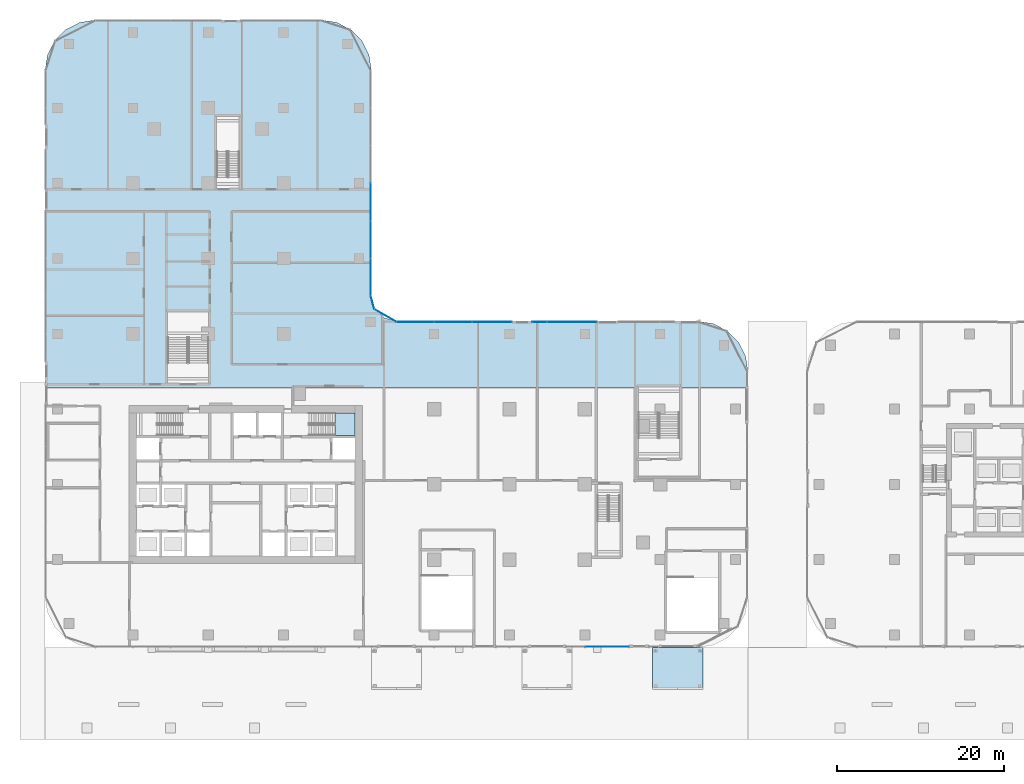
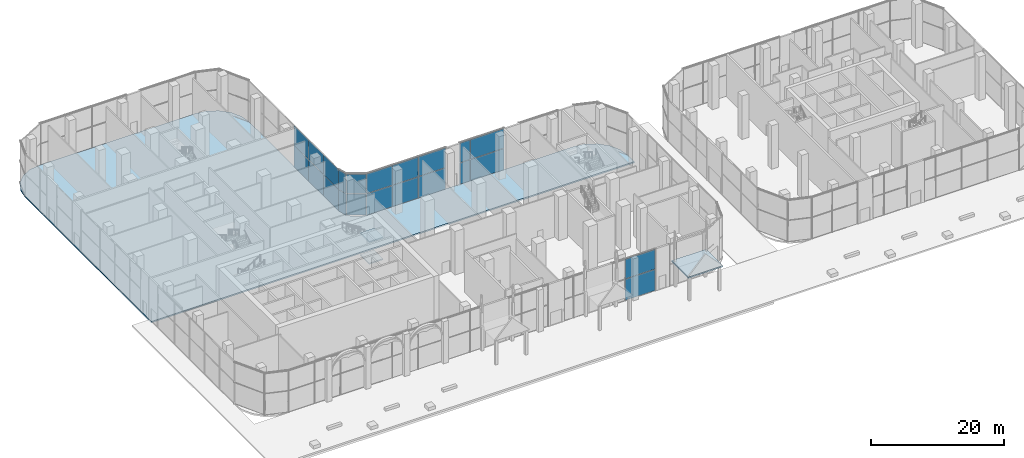
# One storey, part 23 of 54: 22 plates, 4 slabs, 6 elements without a shape of their own.
"""IFC4 building model written with IfcOpenShell, lengths in metres."""

import ifcopenshell
import ifcopenshell.guid

model = None  # the IFC model being written
_history = None  # IfcOwnerHistory: only IFC2X3 demands one
_inside = {}  # id of a spatial element -> (the spatial element, [elements in it])
_under = {}  # id of a project, library or spatial element -> (it, [spatial elements below it])
_declared = {}  # id of a project -> (the project, [libraries it declares])
_typed = {}  # id of a type object -> (the type object, [elements of that type])
_made_of = {}  # id of a material, layer set ... -> (it, [elements and type objects made of it])


def new_model(schema):
    """Start an empty IFC model of exactly this schema.

    Asked for "IFC4X3", IfcOpenShell would pick the latest addendum, in which some entities
    have other attributes; the version numbers below select the first issue.
    IFC2X3 requires an IfcOwnerHistory on every rooted entity: one is made here for all.
    """
    global model, _history
    if schema == "IFC4X3":
        model = ifcopenshell.file(schema_version=(4, 3, 0, 0))
    else:
        model = ifcopenshell.file(schema=schema)
    _inside.clear()
    _under.clear()
    _declared.clear()
    _typed.clear()
    _made_of.clear()
    _history = None
    if model.schema == "IFC2X3":
        org = make("IfcOrganization", Name="unknown")
        user = make(
            "IfcPersonAndOrganization",
            ThePerson=make("IfcPerson", FamilyName="unknown"),
            TheOrganization=org,
        )
        app = make(
            "IfcApplication",
            ApplicationDeveloper=org,
            Version="unknown",
            ApplicationFullName="unknown",
            ApplicationIdentifier="unknown",
        )
        _history = make(
            "IfcOwnerHistory",
            OwningUser=user,
            OwningApplication=app,
            ChangeAction="ADDED",
            CreationDate=0,
        )
    return model


def make(cls, **values):
    """One entity of the class cls with the attributes given. An attribute that is None is left unset."""
    return model.create_entity(
        cls, **{name: value for name, value in values.items() if value is not None}
    )


def rooted(cls, **values):
    """An entity with a GlobalId (a new one), such as an element, a storey or a relation."""
    return make(cls, GlobalId=ifcopenshell.guid.new(), OwnerHistory=_history, **values)


def si_unit(unit_type, name, prefix=None):
    """IfcSIUnit, for example si_unit("LENGTHUNIT", "METRE", prefix="MILLI")."""
    return make("IfcSIUnit", UnitType=unit_type, Prefix=prefix, Name=name)


def assignment(units):
    """IfcUnitAssignment: the units of a project."""
    return None if units is None else make("IfcUnitAssignment", Units=units)


def point(xyz):
    """IfcCartesianPoint."""
    return None if xyz is None else make("IfcCartesianPoint", Coordinates=xyz)


def direction(xyz):
    """IfcDirection."""
    return None if xyz is None else make("IfcDirection", DirectionRatios=xyz)


def frame(location, z_axis=None, x_axis=None):
    """IfcAxis2Placement3D, a coordinate frame: its origin and axes. An axis left out is left unset."""
    return make(
        "IfcAxis2Placement3D",
        Location=point(location),
        Axis=direction(z_axis),
        RefDirection=direction(x_axis),
    )


def frame_2d(location, x_axis=None):
    """IfcAxis2Placement2D, a coordinate frame in the plane: its origin and x axis."""
    return make(
        "IfcAxis2Placement2D", Location=point(location), RefDirection=direction(x_axis)
    )


def origin():
    """The frame at (0, 0, 0) with its axes left unset."""
    return frame((0.0, 0.0, 0.0))


def origin_2d():
    """The frame at (0, 0) in the plane with its x axis left unset."""
    return frame_2d((0.0, 0.0))


def place(relative_to, where):
    """IfcLocalPlacement: puts the frame where relative to a parent placement (None: the world)."""
    return make(
        "IfcLocalPlacement", PlacementRelTo=relative_to, RelativePlacement=where
    )


def context(
    kind, dimensions, precision=None, world=None, true_north=None, identifier=None
):
    """IfcGeometricRepresentationContext, for example the 3D "Model" context."""
    return make(
        "IfcGeometricRepresentationContext",
        ContextIdentifier=identifier,
        ContextType=kind,
        CoordinateSpaceDimension=dimensions,
        Precision=precision,
        WorldCoordinateSystem=world,
        TrueNorth=true_north,
    )


def subcontext(parent, identifier, kind, view, scale=None):
    """IfcGeometricRepresentationSubContext, for example "Body" below "Model"."""
    return make(
        "IfcGeometricRepresentationSubContext",
        ContextIdentifier=identifier,
        ContextType=kind,
        ParentContext=parent,
        TargetScale=scale,
        TargetView=view,
    )


def project(units=None, contexts=None):
    """IfcProject with its units and contexts."""
    return rooted(
        "IfcProject",
        Name="project",
        RepresentationContexts=contexts,
        UnitsInContext=assignment(units),
    )


def spatial(cls, under=None, at=None, **own):
    """A site, building, storey or space (cls), placed at a placement, below another one or the project."""
    s = rooted(cls, ObjectPlacement=at, **own)
    if under is not None:
        _under.setdefault(under.id(), (under, []))[1].append(s)
    return s


def polyline(points):
    """IfcPolyline through the points."""
    return make("IfcPolyline", Points=[point(p) for p in points])


def profile(cls, at=None, kind="AREA", **sizes):
    """A parametric profile (cls). Its sizes go by their IFC names, for example OverallWidth=200.0."""
    return make(cls, ProfileType=kind, Position=at, **sizes)


def rectangle(**sizes):
    """IfcRectangleProfileDef."""
    return profile("IfcRectangleProfileDef", **sizes)


def outline(outer, holes=None, kind="AREA"):
    """IfcArbitraryClosedProfileDef: a profile drawn as a closed curve; with holes, ...WithVoids."""
    if holes is None:
        return make("IfcArbitraryClosedProfileDef", ProfileType=kind, OuterCurve=outer)
    return make(
        "IfcArbitraryProfileDefWithVoids",
        ProfileType=kind,
        OuterCurve=outer,
        InnerCurves=holes,
    )


def extrude(swept, where, along, depth):
    """IfcExtrudedAreaSolid: the profile swept, set in the frame where, extruded along a direction by depth."""
    return make(
        "IfcExtrudedAreaSolid",
        SweptArea=swept,
        Position=where,
        ExtrudedDirection=direction(along),
        Depth=depth,
    )


def shape(context_of_items, identifier, shape_type, items):
    """IfcShapeRepresentation: the items that make up one representation, for example the "Body"."""
    return make(
        "IfcShapeRepresentation",
        ContextOfItems=context_of_items,
        RepresentationIdentifier=identifier,
        RepresentationType=shape_type,
        Items=items,
    )


def material(Name=None, Category=None):
    """IfcMaterial."""
    return make("IfcMaterial", Name=Name, Category=Category)


def layer(
    of_material, thickness, ventilated=None, Name=None, Category=None, Priority=None
):
    """IfcMaterialLayer: one layer of a wall or slab, of a material (None: an air gap)."""
    return make(
        "IfcMaterialLayer",
        Material=of_material,
        LayerThickness=thickness,
        IsVentilated=ventilated,
        Name=Name,
        Category=Category,
        Priority=Priority,
    )


def layer_set(layers, Name=None):
    """IfcMaterialLayerSet."""
    return make("IfcMaterialLayerSet", MaterialLayers=layers, LayerSetName=Name)


def made_of(thing, what):
    """Note that an element or type object is made of a material, layer set ...; save() writes the relation."""
    if what is not None:
        _made_of.setdefault(what.id(), (what, []))[1].append(thing)
    return thing


def type_object(cls, material=None, **own):
    """A type object (cls), such as IfcWallType, which elements share."""
    return made_of(rooted(cls, **own), material)


def element(
    cls,
    number,
    at=None,
    inside=None,
    cuts=None,
    type_object=None,
    material=None,
    context=None,
    identifier="Body",
    shape_type=None,
    held_by="IfcProductDefinitionShape",
    body=None,
    shapes=None,
    **own,
):
    """One element of the class cls, such as IfcWall. Its Tag is "e" and its number.

    at: its placement. inside: the storey or other place that contains it. cuts: it is an
    opening in that element (IfcRelVoidsElement). A single representation is given by context,
    identifier, shape_type and body (its items); several are given by shapes. held_by: the class
    of the entity that holds the representations. save() writes the other relations.
    """
    e = rooted(cls, Tag="e%d" % number, ObjectPlacement=at, **own)
    if body is not None:
        shapes = [shape(context, identifier, shape_type, body)]
    if shapes is not None:
        e.Representation = make(held_by, Representations=shapes)
    if inside is not None:
        _inside.setdefault(inside.id(), (inside, []))[1].append(e)
    if cuts is not None:
        rooted(
            "IfcRelVoidsElement", RelatingBuildingElement=cuts, RelatedOpeningElement=e
        )
    if type_object is not None:
        _typed.setdefault(type_object.id(), (type_object, []))[1].append(e)
    return made_of(e, material)


def aggregate(whole, parts):
    """IfcRelAggregates: a whole, such as a stair, and the parts it consists of."""
    return rooted("IfcRelAggregates", RelatingObject=whole, RelatedObjects=parts)


def save(model, path):
    """Write the relations noted so far, then the file.

    IfcRelAggregates (storeys below a building ...), IfcRelContainedInSpatialStructure (elements
    in a storey), IfcRelDefinesByType, IfcRelAssociatesMaterial and IfcRelDeclares: one each for
    every whole, place, type object, material and project.
    """
    for whole, parts in _under.values():
        aggregate(whole, parts)
    for where, things in _inside.values():
        rooted(
            "IfcRelContainedInSpatialStructure",
            RelatedElements=things,
            RelatingStructure=where,
        )
    for kind, things in _typed.values():
        rooted("IfcRelDefinesByType", RelatedObjects=things, RelatingType=kind)
    for what, things in _made_of.values():
        rooted("IfcRelAssociatesMaterial", RelatedObjects=things, RelatingMaterial=what)
    for by, libraries in _declared.values():
        rooted("IfcRelDeclares", RelatingContext=by, RelatedDefinitions=libraries)
    model.write(path)


model = new_model("IFC4")

# Units and contexts
model_context = context("Model", 3, precision=1e-05, world=origin(), true_north=direction((0.0, 1.0)))
body_context = subcontext(model_context, "Body", "Model", "MODEL_VIEW")
ifc_project = project(units=[si_unit("LENGTHUNIT", "METRE"), si_unit("AREAUNIT", "SQUARE_METRE"), si_unit("VOLUMEUNIT", "CUBIC_METRE"), si_unit("PLANEANGLEUNIT", "RADIAN"), si_unit("MASSUNIT", "GRAM", prefix="KILO")], contexts=[model_context])

# Site, building, storey
site_placement = place(None, origin())
site = spatial("IfcSite", under=ifc_project, at=site_placement, CompositionType="ELEMENT")
building_placement = place(site_placement, origin())
building = spatial("IfcBuilding", under=site, at=building_placement, Name="Ogive Portal Towers", CompositionType="ELEMENT")
storey_placement = place(building_placement, origin())
storey = spatial("IfcBuildingStorey", under=building, at=storey_placement, Name="L00", CompositionType="ELEMENT", Elevation=0.0)

# Curtain wall, plates
ifc_material_1 = material(Name="Glass, clear low-iron insulated glazing", Category="glass")
curtain_wall_type = type_object("IfcCurtainWallType", Name="CW PODIUM SHOPFRONT", PredefinedType="NOTDEFINED", material=ifc_material_1)
curtain_wall_1_placement = place(storey_placement, origin())
curtain_wall_1 = element("IfcCurtainWall", 1, at=curtain_wall_1_placement, inside=storey, type_object=curtain_wall_type, Name="A:L00:f02:cw3", PredefinedType="NOTDEFINED")
ifc_layer_1 = layer(ifc_material_1, 0.028076171875)
ifc_layer_set_1 = layer_set([ifc_layer_1], Name="CW PANEL IGU 28")
plate_type = type_object("IfcPlateType", Name="CW PANEL IGU 28", PredefinedType="CURTAIN_PANEL", material=ifc_layer_set_1)
plate_1_placement = place(storey_placement, frame((88.142333984375, 11.080078125, 0.06005859375), z_axis=(0.0, 0.0, 1.0), x_axis=(1.0, 0.0, 0.0)))
plate_1 = element("IfcPlate", 2, at=plate_1_placement, type_object=plate_type, Name="panel", PredefinedType="CURTAIN_PANEL", context=body_context, shape_type="SweptSolid", body=[
    extrude(rectangle(XDim=5.224365234375, YDim=0.028076171875, at=origin_2d()), origin(), (0.0, 0.0, 1.0), 3.909912109375),
])
plate_2_placement = place(storey_placement, frame((88.142333984375, 11.080078125, 4.02978515625), z_axis=(0.0, 0.0, 1.0), x_axis=(1.0, 0.0, 0.0)))
plate_2 = element("IfcPlate", 3, at=plate_2_placement, type_object=plate_type, Name="panel", PredefinedType="CURTAIN_PANEL", context=body_context, shape_type="SweptSolid", body=[
    extrude(rectangle(XDim=5.224365234375, YDim=0.028076171875, at=origin_2d()), origin(), (0.0, 0.0, 1.0), 3.610107421875),
])
aggregate(curtain_wall_1, [plate_1, plate_2])

curtain_wall_2_placement = place(storey_placement, origin())
curtain_wall_2 = element("IfcCurtainWall", 4, at=curtain_wall_2_placement, inside=storey, type_object=curtain_wall_type, Name="A:L00:f08:cw1", PredefinedType="NOTDEFINED")
plate_3_placement = place(storey_placement, frame((83.96728515625, 49.919921875, 0.06005859375), z_axis=(0.0, 0.0, 1.0), x_axis=(-1.0, 0.0, 0.0)))
plate_3 = element("IfcPlate", 5, at=plate_3_placement, type_object=plate_type, Name="panel", PredefinedType="CURTAIN_PANEL", context=body_context, shape_type="SweptSolid", body=[
    extrude(rectangle(XDim=5.87451171875, YDim=0.028076171875, at=origin_2d()), origin(), (0.0, 0.0, 1.0), 3.909912109375),
])
plate_4_placement = place(storey_placement, frame((83.96728515625, 49.919921875, 4.02978515625), z_axis=(0.0, 0.0, 1.0), x_axis=(-1.0, 0.0, 0.0)))
plate_4 = element("IfcPlate", 6, at=plate_4_placement, type_object=plate_type, Name="panel", PredefinedType="CURTAIN_PANEL", context=body_context, shape_type="SweptSolid", body=[
    extrude(rectangle(XDim=5.87451171875, YDim=0.028076171875, at=origin_2d()), origin(), (0.0, 0.0, 1.0), 3.610107421875),
])
plate_5_placement = place(storey_placement, frame((80.09130859375, 49.919921875, 0.06005859375), z_axis=(0.0, 0.0, 1.0), x_axis=(-1.0, 0.0, 0.0)))
plate_5 = element("IfcPlate", 7, at=plate_5_placement, type_object=plate_type, Name="panel", PredefinedType="CURTAIN_PANEL", context=body_context, shape_type="SweptSolid", body=[
    extrude(rectangle(XDim=1.757568359375, YDim=0.028076171875, at=origin_2d()), origin(), (0.0, 0.0, 1.0), 3.909912109375),
])
plate_6_placement = place(storey_placement, frame((80.09130859375, 49.919921875, 4.02978515625), z_axis=(0.0, 0.0, 1.0), x_axis=(-1.0, 0.0, 0.0)))
plate_6 = element("IfcPlate", 8, at=plate_6_placement, type_object=plate_type, Name="panel", PredefinedType="CURTAIN_PANEL", context=body_context, shape_type="SweptSolid", body=[
    extrude(rectangle(XDim=1.757568359375, YDim=0.028076171875, at=origin_2d()), origin(), (0.0, 0.0, 1.0), 3.610107421875),
])
aggregate(curtain_wall_2, [plate_3, plate_4, plate_5, plate_6])

curtain_wall_3_placement = place(storey_placement, origin())
curtain_wall_3 = element("IfcCurtainWall", 9, at=curtain_wall_3_placement, inside=storey, type_object=curtain_wall_type, Name="A:L00:f08:cw2", PredefinedType="NOTDEFINED")
plate_7_placement = place(storey_placement, frame((74.390869140625, 49.919921875, 0.06005859375), z_axis=(0.0, 0.0, 1.0), x_axis=(-1.0, 0.0, 0.0)))
plate_7 = element("IfcPlate", 10, at=plate_7_placement, type_object=plate_type, Name="panel", PredefinedType="CURTAIN_PANEL", context=body_context, shape_type="SweptSolid", body=[
    extrude(rectangle(XDim=4.721923828125, YDim=0.028076171875, at=origin_2d()), origin(), (0.0, 0.0, 1.0), 3.909912109375),
])
plate_8_placement = place(storey_placement, frame((74.390869140625, 49.919921875, 4.02978515625), z_axis=(0.0, 0.0, 1.0), x_axis=(-1.0, 0.0, 0.0)))
plate_8 = element("IfcPlate", 11, at=plate_8_placement, type_object=plate_type, Name="panel", PredefinedType="CURTAIN_PANEL", context=body_context, shape_type="SweptSolid", body=[
    extrude(rectangle(XDim=4.721923828125, YDim=0.028076171875, at=origin_2d()), origin(), (0.0, 0.0, 1.0), 3.610107421875),
])
plate_9_placement = place(storey_placement, frame((69.75, 49.919921875, 0.06005859375), z_axis=(0.0, 0.0, 1.0), x_axis=(-1.0, 0.0, 0.0)))
plate_9 = element("IfcPlate", 12, at=plate_9_placement, type_object=plate_type, Name="panel", PredefinedType="CURTAIN_PANEL", context=body_context, shape_type="SweptSolid", body=[
    extrude(rectangle(XDim=4.43994140625, YDim=0.028076171875, at=origin_2d()), origin(), (0.0, 0.0, 1.0), 3.909912109375),
])
plate_10_placement = place(storey_placement, frame((69.75, 49.919921875, 4.02978515625), z_axis=(0.0, 0.0, 1.0), x_axis=(-1.0, 0.0, 0.0)))
plate_10 = element("IfcPlate", 13, at=plate_10_placement, type_object=plate_type, Name="panel", PredefinedType="CURTAIN_PANEL", context=body_context, shape_type="SweptSolid", body=[
    extrude(rectangle(XDim=4.43994140625, YDim=0.028076171875, at=origin_2d()), origin(), (0.0, 0.0, 1.0), 3.610107421875),
])
plate_11_placement = place(storey_placement, frame((65.2392578125, 49.919921875, 0.06005859375), z_axis=(0.0, 0.0, 1.0), x_axis=(-1.0, 0.0, 0.0)))
plate_11 = element("IfcPlate", 14, at=plate_11_placement, type_object=plate_type, Name="panel", PredefinedType="CURTAIN_PANEL", context=body_context, shape_type="SweptSolid", body=[
    extrude(rectangle(XDim=4.46142578125, YDim=0.028076171875, at=origin_2d()), origin(), (0.0, 0.0, 1.0), 3.909912109375),
])
plate_12_placement = place(storey_placement, frame((65.2392578125, 49.919921875, 4.02978515625), z_axis=(0.0, 0.0, 1.0), x_axis=(-1.0, 0.0, 0.0)))
plate_12 = element("IfcPlate", 15, at=plate_12_placement, type_object=plate_type, Name="panel", PredefinedType="CURTAIN_PANEL", context=body_context, shape_type="SweptSolid", body=[
    extrude(rectangle(XDim=4.46142578125, YDim=0.028076171875, at=origin_2d()), origin(), (0.0, 0.0, 1.0), 3.610107421875),
])
aggregate(curtain_wall_3, [plate_7, plate_8, plate_9, plate_10, plate_11, plate_12])

curtain_wall_4_placement = place(storey_placement, origin())
curtain_wall_4 = element("IfcCurtainWall", 16, at=curtain_wall_4_placement, inside=storey, type_object=curtain_wall_type, Name="A:L00:f11:cw0", PredefinedType="NOTDEFINED")
plate_13_placement = place(storey_placement, frame((59.919921875, 55.24462890625, 0.06005859375), z_axis=(0.0, 0.0, 1.0), x_axis=(0.0, 1.0, 0.0)))
plate_13 = element("IfcPlate", 17, at=plate_13_placement, type_object=plate_type, Name="panel", PredefinedType="CURTAIN_PANEL", context=body_context, shape_type="SweptSolid", body=[
    extrude(rectangle(XDim=4.450439453125, YDim=0.028076171875, at=origin_2d()), origin(), (0.0, 0.0, 1.0), 3.909912109375),
])
plate_14_placement = place(storey_placement, frame((59.919921875, 55.24462890625, 4.02978515625), z_axis=(0.0, 0.0, 1.0), x_axis=(0.0, 1.0, 0.0)))
plate_14 = element("IfcPlate", 18, at=plate_14_placement, type_object=plate_type, Name="panel", PredefinedType="CURTAIN_PANEL", context=body_context, shape_type="SweptSolid", body=[
    extrude(rectangle(XDim=4.450439453125, YDim=0.028076171875, at=origin_2d()), origin(), (0.0, 0.0, 1.0), 3.610107421875),
])
plate_15_placement = place(storey_placement, frame((59.919921875, 59.75, 0.06005859375), z_axis=(0.0, 0.0, 1.0), x_axis=(0.0, 1.0, 0.0)))
plate_15 = element("IfcPlate", 19, at=plate_15_placement, type_object=plate_type, Name="panel", PredefinedType="CURTAIN_PANEL", context=body_context, shape_type="SweptSolid", body=[
    extrude(rectangle(XDim=4.43994140625, YDim=0.028076171875, at=origin_2d()), origin(), (0.0, 0.0, 1.0), 3.909912109375),
])
plate_16_placement = place(storey_placement, frame((59.919921875, 59.75, 4.02978515625), z_axis=(0.0, 0.0, 1.0), x_axis=(0.0, 1.0, 0.0)))
plate_16 = element("IfcPlate", 20, at=plate_16_placement, type_object=plate_type, Name="panel", PredefinedType="CURTAIN_PANEL", context=body_context, shape_type="SweptSolid", body=[
    extrude(rectangle(XDim=4.43994140625, YDim=0.028076171875, at=origin_2d()), origin(), (0.0, 0.0, 1.0), 3.610107421875),
])
plate_17_placement = place(storey_placement, frame((59.919921875, 64.25, 0.06005859375), z_axis=(0.0, 0.0, 1.0), x_axis=(0.0, 1.0, 0.0)))
plate_17 = element("IfcPlate", 21, at=plate_17_placement, type_object=plate_type, Name="panel", PredefinedType="CURTAIN_PANEL", context=body_context, shape_type="SweptSolid", body=[
    extrude(rectangle(XDim=4.43994140625, YDim=0.028076171875, at=origin_2d()), origin(), (0.0, 0.0, 1.0), 3.909912109375),
])
plate_18_placement = place(storey_placement, frame((59.919921875, 64.25, 4.02978515625), z_axis=(0.0, 0.0, 1.0), x_axis=(0.0, 1.0, 0.0)))
plate_18 = element("IfcPlate", 22, at=plate_18_placement, type_object=plate_type, Name="panel", PredefinedType="CURTAIN_PANEL", context=body_context, shape_type="SweptSolid", body=[
    extrude(rectangle(XDim=4.43994140625, YDim=0.028076171875, at=origin_2d()), origin(), (0.0, 0.0, 1.0), 3.610107421875),
])
aggregate(curtain_wall_4, [plate_13, plate_14, plate_15, plate_16, plate_17, plate_18])

curtain_wall_5_placement = place(storey_placement, origin())
curtain_wall_5 = element("IfcCurtainWall", 23, at=curtain_wall_5_placement, inside=storey, type_object=curtain_wall_type, Name="A:L00:f09:cwa", PredefinedType="NOTDEFINED")
plate_19_placement = place(storey_placement, frame((61.656005859375, 50.68359375, 0.06005859375), z_axis=(0.0, 0.0, 1.0), x_axis=(-0.866025403784, 0.5, 0.0)))
plate_19 = element("IfcPlate", 24, at=plate_19_placement, type_object=plate_type, Name="panel", PredefinedType="CURTAIN_PANEL", context=body_context, shape_type="SweptSolid", body=[
    extrude(rectangle(XDim=2.99462890625, YDim=0.028076171875, at=origin_2d()), origin(), (0.0, 0.0, 1.0), 3.909912109375),
])
plate_20_placement = place(storey_placement, frame((61.656005859375, 50.68359375, 4.02978515625), z_axis=(0.0, 0.0, 1.0), x_axis=(-0.866025403784, 0.5, 0.0)))
plate_20 = element("IfcPlate", 25, at=plate_20_placement, type_object=plate_type, Name="panel", PredefinedType="CURTAIN_PANEL", context=body_context, shape_type="SweptSolid", body=[
    extrude(rectangle(XDim=2.99462890625, YDim=0.028076171875, at=origin_2d()), origin(), (0.0, 0.0, 1.0), 3.610107421875),
])
plate_21_placement = place(storey_placement, frame((60.126708984375, 52.21826171875, 0.06005859375), z_axis=(0.0, 0.0, 1.0), x_axis=(-0.258819045103, 0.965925826289, 0.0)))
plate_21 = element("IfcPlate", 26, at=plate_21_placement, type_object=plate_type, Name="panel", PredefinedType="CURTAIN_PANEL", context=body_context, shape_type="SweptSolid", body=[
    extrude(rectangle(XDim=1.53662109375, YDim=0.028076171875, at=origin_2d()), origin(), (0.0, 0.0, 1.0), 3.909912109375),
])
plate_22_placement = place(storey_placement, frame((60.126708984375, 52.21826171875, 4.02978515625), z_axis=(0.0, 0.0, 1.0), x_axis=(-0.258819045103, 0.965925826289, 0.0)))
plate_22 = element("IfcPlate", 27, at=plate_22_placement, type_object=plate_type, Name="panel", PredefinedType="CURTAIN_PANEL", context=body_context, shape_type="SweptSolid", body=[
    extrude(rectangle(XDim=1.53662109375, YDim=0.028076171875, at=origin_2d()), origin(), (0.0, 0.0, 1.0), 3.610107421875),
])
aggregate(curtain_wall_5, [plate_19, plate_20, plate_21, plate_22])

# Stair, slabs
ifc_material_2 = material(Name="Concrete C40/50", Category="concrete")
stair_type = type_object("IfcStairType", Name="INT-STAIR", PredefinedType="HALF_TURN_STAIR", material=ifc_material_2)
stair_placement = place(storey_placement, origin())
stair = element("IfcStair", 28, at=stair_placement, inside=storey, type_object=stair_type, Name="L00 Exit Stair ST-A2", PredefinedType="HALF_TURN_STAIR")
ifc_layer_2 = layer(ifc_material_2, 0.199951171875)
ifc_layer_set_2 = layer_set([ifc_layer_2], Name="INT-LANDING")
slab_type_1 = type_object("IfcSlabType", Name="INT-LANDING", PredefinedType="LANDING", material=ifc_layer_set_2)
slab_1_placement = place(storey_placement, frame((0.0, 0.0, 1.800048828125)))
slab_1 = element("IfcSlab", 29, at=slab_1_placement, type_object=slab_type_1, Name="ST-A2 landing 1", PredefinedType="LANDING", context=body_context, shape_type="SweptSolid", body=[
    extrude(outline(polyline([(55.6298828125, 36.35009765625), (58.050048828125, 36.35009765625), (58.050048828125, 39.050048828125), (55.6298828125, 39.050048828125), (55.6298828125, 36.35009765625)])), origin(), (0.0, 0.0, 1.0), 0.199951171875),
])
slab_2_placement = place(storey_placement, frame((0.0, 0.0, 5.800048828125)))
slab_2 = element("IfcSlab", 30, at=slab_2_placement, type_object=slab_type_1, Name="ST-A2 landing 3", PredefinedType="LANDING", context=body_context, shape_type="SweptSolid", body=[
    extrude(outline(polyline([(55.6298828125, 36.35009765625), (58.050048828125, 36.35009765625), (58.050048828125, 39.050048828125), (55.6298828125, 39.050048828125), (55.6298828125, 36.35009765625)])), origin(), (0.0, 0.0, 1.0), 0.199951171875),
])
aggregate(stair, [slab_1, slab_2])

# Slabs
ifc_material_3 = material(Name="Concrete C60/75", Category="concrete")
ifc_layer_3 = layer(ifc_material_3, 0.25)
ifc_layer_set_3 = layer_set([ifc_layer_3], Name="PORCH CANOPY SLAB 250")
slab_type_2 = type_object("IfcSlabType", Name="PORCH CANOPY SLAB 250", PredefinedType="ROOF", material=ifc_layer_set_3)
slab_3_placement = place(storey_placement, frame((0.0, 0.0, 4.35009765625)))
element("IfcSlab", 31, at=slab_3_placement, inside=storey, type_object=slab_type_2, Name="Porch canopy PCS3", PredefinedType="ROOF", context=body_context, shape_type="SweptSolid", body=[
    extrude(outline(polyline([(93.60009765625, 6.0), (99.60009765625, 6.0), (99.60009765625, 11.0), (93.60009765625, 11.0), (93.60009765625, 6.0)])), origin(), (0.0, 0.0, 1.0), 0.25),
])
ifc_material_4 = material(Name="Concrete C45/55", Category="concrete")
ifc_layer_4 = layer(ifc_material_4, 0.25)
ifc_layer_set_4 = layer_set([ifc_layer_4], Name="SLAB ON GRADE 250")
slab_type_3 = type_object("IfcSlabType", Name="SLAB ON GRADE 250", PredefinedType="BASESLAB", material=ifc_layer_set_4)
slab_4_placement = place(storey_placement, frame((0.0, 0.0, -0.25)))
element("IfcSlab", 32, at=slab_4_placement, inside=storey, type_object=slab_type_3, Name="Floor slab L00", PredefinedType="BASESLAB", context=body_context, shape_type="SweptSolid", body=[
    extrude(outline(polyline([(21.0, 80.0), (21.0, 42.0), (105.0, 42.0), (105.0, 44.0), (104.706298828125, 45.85400390625), (103.85400390625, 47.526611328125), (102.526611328125, 48.85400390625), (100.85400390625, 49.706298828125), (99.0, 50.0), (63.0, 50.0), (61.5, 50.40185546875), (60.40185546875, 51.5), (60.0, 53.0), (60.0, 80.0), (59.706298828125, 81.85400390625), (58.85400390625, 83.526611328125), (57.526611328125, 84.85400390625), (55.85400390625, 85.706298828125), (54.0, 86.0), (27.0, 86.0), (25.14599609375, 85.706298828125), (23.473388671875, 84.85400390625), (22.14599609375, 83.526611328125), (21.293701171875, 81.85400390625), (21.0, 80.0)])), origin(), (0.0, 0.0, 1.0), 0.25),
])

save(model, "model.ifc")
